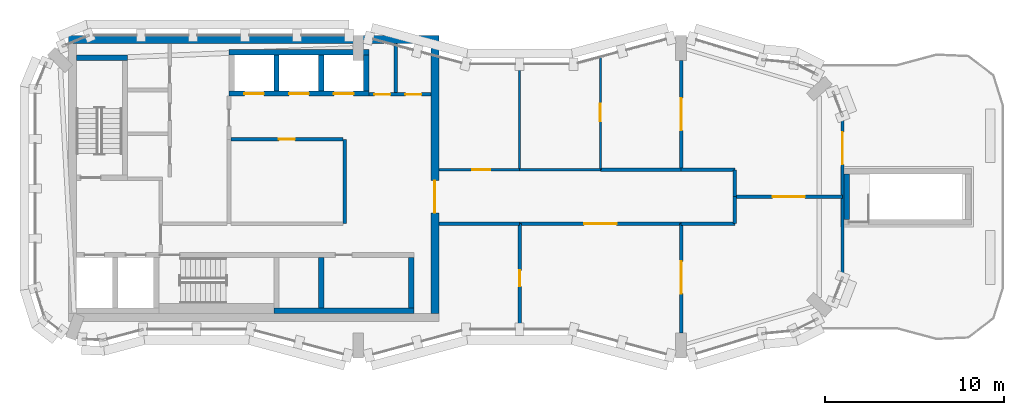
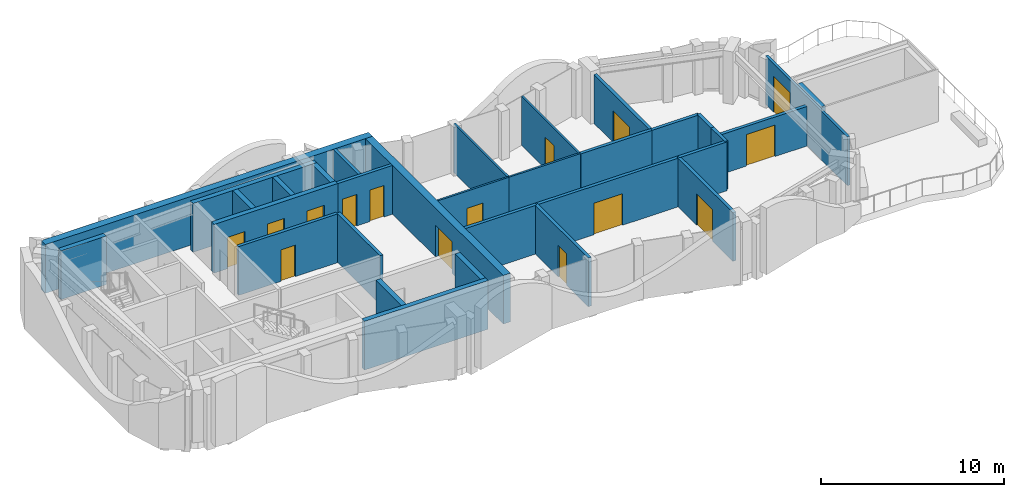
# One storey, part 4 of 9: 32 walls, 15 doors, 15 openings.
"""IFC4 building model written with IfcOpenShell, lengths in metres."""

from ifc_helpers import new_model, si_unit, direction, frame, frame_2d, origin, place, context, subcontext, project, spatial, rectangle, extrude, material, layer, layer_set, type_object, element, fill, save


model = new_model("IFC4")

# Units and contexts
model_context = context("Model", 3, precision=1e-05, world=origin(), true_north=direction((0.0, 1.0)))
body_context = subcontext(model_context, "Body", "Model", "MODEL_VIEW")
ifc_project = project(units=[si_unit("LENGTHUNIT", "METRE"), si_unit("AREAUNIT", "SQUARE_METRE"), si_unit("VOLUMEUNIT", "CUBIC_METRE"), si_unit("PLANEANGLEUNIT", "RADIAN"), si_unit("MASSUNIT", "GRAM", prefix="KILO")], contexts=[model_context])

# Site, building, storey
site_placement = place(None, origin())
site = spatial("IfcSite", under=ifc_project, at=site_placement, CompositionType="ELEMENT")
building_placement = place(site_placement, origin())
building = spatial("IfcBuilding", under=site, at=building_placement, Name="Plateau Cross Towers", CompositionType="ELEMENT")
storey_placement = place(building_placement, frame((0.0, 0.0, 287.89990234375)))
storey = spatial("IfcBuildingStorey", under=building, at=storey_placement, Name="L76 Crown 1", CompositionType="ELEMENT", Elevation=287.89990234375)

# Wall
ifc_material_1 = material(Name="Concrete block, plastered both sides", Category="concrete")
ifc_layer_1 = layer(ifc_material_1, 0.199951171875)
ifc_layer_set_1 = layer_set([ifc_layer_1], Name="Concrete block, plastered both sides")
wall_type_1 = type_object("IfcWallType", Name="Core partition 200", PredefinedType="PARTITIONING", material=ifc_layer_set_1)
wall_1_placement = place(storey_placement, frame((17.25, 7.5, 0.0), z_axis=(0.0, 0.0, 1.0), x_axis=(0.0, 1.0, 0.0)))
element("IfcWall", 1, at=wall_1_placement, inside=storey, type_object=wall_type_1, Name="Core partition", PredefinedType="PARTITIONING", context=body_context, shape_type="SweptSolid", body=[
    extrude(rectangle(XDim=4.699951171875, YDim=0.199951171875, at=frame_2d((2.35009765625, 0.0))), origin(), (0.0, 0.0, 1.0), 3.25),
])

# Wall, opening, door
wall_2_placement = place(storey_placement, frame((10.89990234375, 12.199951171875, 0.0), z_axis=(0.0, 0.0, 1.0), x_axis=(1.0, 0.0, 0.0)))
wall_2 = element("IfcWall", 2, at=wall_2_placement, inside=storey, type_object=wall_type_1, Name="Core partition", PredefinedType="PARTITIONING", context=body_context, shape_type="SweptSolid", body=[
    extrude(rectangle(XDim=6.25, YDim=0.199951171875, at=frame_2d((3.125, 0.0))), origin(), (0.0, 0.0, 1.0), 3.25),
])
opening_1_placement = place(wall_2_placement, frame((2.675048828125, 0.0, 0.0)))
opening_1 = element("IfcOpeningElement", 3, at=opening_1_placement, cuts=wall_2, Name="Opening RD1", PredefinedType="OPENING", context=body_context, shape_type="SweptSolid", body=[
    extrude(rectangle(XDim=0.89990234375, YDim=2.10009765625, at=frame_2d((0.449951171875, 1.050048828125))), frame((0.0, 0.10986328125, 0.0), z_axis=(0.0, -1.0, 0.0), x_axis=(1.0, 0.0, 0.0)), (0.0, 0.0, 1.0), 0.219970703125),
])
ifc_material_2 = material(Name="Timber, fire-resisting leaf", Category="wood")
door_type_1 = type_object("IfcDoorType", Name="Core service door 900", OperationType="NOTDEFINED", PredefinedType="DOOR", material=ifc_material_2)
door_1_placement = place(opening_1_placement, origin())
door_1 = element("IfcDoor", 4, at=door_1_placement, inside=storey, type_object=door_type_1, Name="Core service door RD1", OperationType="SINGLE_SWING_LEFT", OverallHeight=2.10009765625, OverallWidth=0.89990234375, PredefinedType="DOOR", context=body_context, shape_type="SweptSolid", body=[
    extrude(rectangle(XDim=0.89990234375, YDim=2.10009765625, at=frame_2d((0.449951171875, 1.050048828125))), frame((0.0, 0.02490234375, 0.0), z_axis=(0.0, -1.0, 0.0), x_axis=(1.0, 0.0, 0.0)), (0.0, 0.0, 1.0), 0.050048828125),
])
fill(opening_1, door_1)

# Wall, openings, doors
wall_3_placement = place(storey_placement, frame((18.60009765625, 14.699951171875, 0.0), z_axis=(0.0, 0.0, 1.0), x_axis=(1.0, 0.0, 0.0)))
wall_3 = element("IfcWall", 5, at=wall_3_placement, inside=storey, type_object=wall_type_1, Name="Core partition", PredefinedType="PARTITIONING", context=body_context, shape_type="SweptSolid", body=[
    extrude(rectangle(XDim=3.449951171875, YDim=0.199951171875, at=frame_2d((1.72509765625, 0.0))), origin(), (0.0, 0.0, 1.0), 3.25),
])
opening_2_placement = place(wall_3_placement, frame((0.300048828125, 0.0, 0.0)))
opening_2 = element("IfcOpeningElement", 6, at=opening_2_placement, cuts=wall_3, Name="Opening RD2", PredefinedType="OPENING", context=body_context, shape_type="SweptSolid", body=[
    extrude(rectangle(XDim=0.89990234375, YDim=2.10009765625, at=frame_2d((0.449951171875, 1.050048828125))), frame((0.0, 0.10986328125, 0.0), z_axis=(0.0, -1.0, 0.0), x_axis=(1.0, 0.0, 0.0)), (0.0, 0.0, 1.0), 0.219970703125),
])
opening_3_placement = place(wall_3_placement, frame((2.02490234375, 0.0, 0.0)))
opening_3 = element("IfcOpeningElement", 7, at=opening_3_placement, cuts=wall_3, Name="Opening RD2", PredefinedType="OPENING", context=body_context, shape_type="SweptSolid", body=[
    extrude(rectangle(XDim=0.89990234375, YDim=2.10009765625, at=frame_2d((0.449951171875, 1.050048828125))), frame((0.0, 0.10986328125, 0.0), z_axis=(0.0, -1.0, 0.0), x_axis=(1.0, 0.0, 0.0)), (0.0, 0.0, 1.0), 0.219970703125),
])
ifc_material_3 = material(Name="Steel, fire-resisting leaf", Category="steel")
door_type_2 = type_object("IfcDoorType", Name="Core riser door 900", OperationType="NOTDEFINED", PredefinedType="DOOR", material=ifc_material_3)
door_2_placement = place(opening_2_placement, origin())
door_2 = element("IfcDoor", 8, at=door_2_placement, inside=storey, type_object=door_type_2, Name="Core riser door RD2", OperationType="SINGLE_SWING_LEFT", OverallHeight=2.10009765625, OverallWidth=0.89990234375, PredefinedType="DOOR", context=body_context, shape_type="SweptSolid", body=[
    extrude(rectangle(XDim=0.89990234375, YDim=2.10009765625, at=frame_2d((0.449951171875, 1.050048828125))), frame((0.0, 0.02490234375, 0.0), z_axis=(0.0, -1.0, 0.0), x_axis=(1.0, 0.0, 0.0)), (0.0, 0.0, 1.0), 0.050048828125),
])
fill(opening_2, door_2)
door_3_placement = place(opening_3_placement, origin())
door_3 = element("IfcDoor", 9, at=door_3_placement, inside=storey, type_object=door_type_2, Name="Core riser door RD2", OperationType="SINGLE_SWING_LEFT", OverallHeight=2.10009765625, OverallWidth=0.89990234375, PredefinedType="DOOR", context=body_context, shape_type="SweptSolid", body=[
    extrude(rectangle(XDim=0.89990234375, YDim=2.10009765625, at=frame_2d((0.449951171875, 1.050048828125))), frame((0.0, 0.02490234375, 0.0), z_axis=(0.0, -1.0, 0.0), x_axis=(1.0, 0.0, 0.0)), (0.0, 0.0, 1.0), 0.050048828125),
])
fill(opening_3, door_3)

# Walls
wall_4_placement = place(storey_placement, frame((20.10009765625, 14.800048828125, 0.0), z_axis=(0.0, 0.0, 1.0), x_axis=(0.0, 1.0, 0.0)))
element("IfcWall", 10, at=wall_4_placement, inside=storey, type_object=wall_type_1, Name="Core partition", PredefinedType="PARTITIONING", context=body_context, shape_type="SweptSolid", body=[
    extrude(rectangle(XDim=2.75, YDim=0.199951171875, at=frame_2d((1.375, 0.0))), origin(), (0.0, 0.0, 1.0), 3.25),
])
ifc_material_4 = material(Name="Concrete C60/75", Category="concrete")
ifc_layer_2 = layer(ifc_material_4, 0.300048828125)
ifc_layer_set_2 = layer_set([ifc_layer_2], Name="Concrete C60/75")
wall_type_2 = type_object("IfcWallType", Name="Core shaft wall 300", PredefinedType="SHEAR", material=ifc_layer_set_2)
wall_5_placement = place(storey_placement, frame((13.300048828125, 2.64990234375, 0.0), z_axis=(0.0, 0.0, 1.0), x_axis=(1.0, 0.0, 0.0)))
element("IfcWall", 11, at=wall_5_placement, inside=storey, type_object=wall_type_2, Name="A-sb-back3@L76 Crown 1", PredefinedType="SHEAR", context=body_context, shape_type="SweptSolid", body=[
    extrude(rectangle(XDim=7.800048828125, YDim=0.300048828125, at=frame_2d((3.89990234375, 0.0))), origin(), (0.0, 0.0, 1.0), 3.25),
])
wall_6_placement = place(storey_placement, frame((20.949951171875, 2.800048828125, 0.0), z_axis=(0.0, 0.0, 1.0), x_axis=(0.0, 1.0, 0.0)))
element("IfcWall", 12, at=wall_6_placement, inside=storey, type_object=wall_type_2, Name="A-sb-v6@L76 Crown 1", PredefinedType="SHEAR", context=body_context, shape_type="SweptSolid", body=[
    extrude(rectangle(XDim=2.800048828125, YDim=0.300048828125, at=frame_2d((1.39990234375, 0.0))), origin(), (0.0, 0.0, 1.0), 3.25),
])
wall_7_placement = place(storey_placement, frame((2.300048828125, 16.75, 0.0), z_axis=(0.0, 0.0, 1.0), x_axis=(1.0, 0.0, 0.0)))
element("IfcWall", 13, at=wall_7_placement, inside=storey, type_object=wall_type_2, Name="A-st1-N@L76 Crown 1", PredefinedType="SHEAR", context=body_context, shape_type="SweptSolid", body=[
    extrude(rectangle(XDim=2.849853515625, YDim=0.300048828125, at=frame_2d((1.4248046875, 0.0))), origin(), (0.0, 0.0, 1.0), 3.25),
])
wall_8_placement = place(storey_placement, frame((10.800048828125, 17.050048828125, 0.0), z_axis=(0.0, 0.0, 1.0), x_axis=(1.0, 0.0, 0.0)))
element("IfcWall", 14, at=wall_8_placement, inside=storey, type_object=wall_type_2, Name="A-nb-back@L76 Crown 1", PredefinedType="SHEAR", context=body_context, shape_type="SweptSolid", body=[
    extrude(rectangle(XDim=7.800048828125, YDim=0.300048828125, at=frame_2d((3.89990234375, 0.0))), origin(), (0.0, 0.0, 1.0), 3.25),
])

# Wall, openings, doors
wall_9_placement = place(storey_placement, frame((10.800048828125, 14.75, 0.0), z_axis=(0.0, 0.0, 1.0), x_axis=(1.0, 0.0, 0.0)))
wall_9 = element("IfcWall", 15, at=wall_9_placement, inside=storey, type_object=wall_type_2, Name="A-nb-front@L76 Crown 1", PredefinedType="SHEAR", context=body_context, shape_type="SweptSolid", body=[
    extrude(rectangle(XDim=7.800048828125, YDim=0.300048828125, at=frame_2d((3.89990234375, 0.0))), origin(), (0.0, 0.0, 1.0), 3.25),
])
opening_4_placement = place(wall_9_placement, frame((0.85009765625, 0.0, 0.0)))
opening_4 = element("IfcOpeningElement", 16, at=opening_4_placement, cuts=wall_9, Name="Opening LD", PredefinedType="OPENING", context=body_context, shape_type="SweptSolid", body=[
    extrude(rectangle(XDim=1.10009765625, YDim=2.10009765625, at=frame_2d((0.550048828125, 1.050048828125))), frame((0.0, 0.159912109375, 0.0), z_axis=(0.0, -1.0, 0.0), x_axis=(1.0, 0.0, 0.0)), (0.0, 0.0, 1.0), 0.320068359375),
])
opening_5_placement = place(wall_9_placement, frame((3.35009765625, 0.0, 0.0)))
opening_5 = element("IfcOpeningElement", 17, at=opening_5_placement, cuts=wall_9, Name="Opening LD", PredefinedType="OPENING", context=body_context, shape_type="SweptSolid", body=[
    extrude(rectangle(XDim=1.10009765625, YDim=2.10009765625, at=frame_2d((0.550048828125, 1.050048828125))), frame((0.0, 0.159912109375, 0.0), z_axis=(0.0, -1.0, 0.0), x_axis=(1.0, 0.0, 0.0)), (0.0, 0.0, 1.0), 0.320068359375),
])
opening_6_placement = place(wall_9_placement, frame((5.85009765625, 0.0, 0.0)))
opening_6 = element("IfcOpeningElement", 18, at=opening_6_placement, cuts=wall_9, Name="Opening LD", PredefinedType="OPENING", context=body_context, shape_type="SweptSolid", body=[
    extrude(rectangle(XDim=1.10009765625, YDim=2.10009765625, at=frame_2d((0.550048828125, 1.050048828125))), frame((0.0, 0.159912109375, 0.0), z_axis=(0.0, -1.0, 0.0), x_axis=(1.0, 0.0, 0.0)), (0.0, 0.0, 1.0), 0.320068359375),
])
ifc_material_5 = material(Name="Stainless steel, fire-resisting sliding leaves", Category="steel")
door_type_3 = type_object("IfcDoorType", Name="Lift landing door 1100", OperationType="NOTDEFINED", PredefinedType="DOOR", material=ifc_material_5)
door_4_placement = place(opening_4_placement, origin())
door_4 = element("IfcDoor", 19, at=door_4_placement, inside=storey, type_object=door_type_3, Name="Lift landing door LD", OperationType="DOUBLE_DOOR_SLIDING", OverallHeight=2.10009765625, OverallWidth=1.10009765625, PredefinedType="DOOR", context=body_context, shape_type="SweptSolid", body=[
    extrude(rectangle(XDim=1.10009765625, YDim=2.10009765625, at=frame_2d((0.550048828125, 1.050048828125))), frame((0.0, 0.02490234375, 0.0), z_axis=(0.0, -1.0, 0.0), x_axis=(1.0, 0.0, 0.0)), (0.0, 0.0, 1.0), 0.050048828125),
])
fill(opening_4, door_4)
door_5_placement = place(opening_5_placement, origin())
door_5 = element("IfcDoor", 20, at=door_5_placement, inside=storey, type_object=door_type_3, Name="Lift landing door LD", OperationType="DOUBLE_DOOR_SLIDING", OverallHeight=2.10009765625, OverallWidth=1.10009765625, PredefinedType="DOOR", context=body_context, shape_type="SweptSolid", body=[
    extrude(rectangle(XDim=1.10009765625, YDim=2.10009765625, at=frame_2d((0.550048828125, 1.050048828125))), frame((0.0, 0.02490234375, 0.0), z_axis=(0.0, -1.0, 0.0), x_axis=(1.0, 0.0, 0.0)), (0.0, 0.0, 1.0), 0.050048828125),
])
fill(opening_5, door_5)
door_6_placement = place(opening_6_placement, origin())
door_6 = element("IfcDoor", 21, at=door_6_placement, inside=storey, type_object=door_type_3, Name="Lift landing door LD", OperationType="DOUBLE_DOOR_SLIDING", OverallHeight=2.10009765625, OverallWidth=1.10009765625, PredefinedType="DOOR", context=body_context, shape_type="SweptSolid", body=[
    extrude(rectangle(XDim=1.10009765625, YDim=2.10009765625, at=frame_2d((0.550048828125, 1.050048828125))), frame((0.0, 0.02490234375, 0.0), z_axis=(0.0, -1.0, 0.0), x_axis=(1.0, 0.0, 0.0)), (0.0, 0.0, 1.0), 0.050048828125),
])
fill(opening_6, door_6)

# Walls
for number, where, z_axis, x_axis, name in (
    (22, (13.449951171875, 14.89990234375, 0.0), (0.0, 0.0, 1.0), (0.0, 1.0, 0.0), "A-nb-v2@L76 Crown 1"),
    (23, (15.949951171875, 14.89990234375, 0.0), (0.0, 0.0, 1.0), (0.0, 1.0, 0.0), "A-nb-v3@L76 Crown 1"),
    (24, (18.449951171875, 14.89990234375, 0.0), (0.0, 0.0, 1.0), (0.0, 1.0, 0.0), "A-nb-v4@L76 Crown 1"),
):
    element("IfcWall", number, at=place(storey_placement, frame(where, z_axis=z_axis, x_axis=x_axis)), inside=storey, type_object=wall_type_2, Name=name, PredefinedType="SHEAR", context=body_context, shape_type="SweptSolid", body=[
        extrude(rectangle(XDim=2.0, YDim=0.300048828125, at=frame_2d((1.0, 0.0))), origin(), (0.0, 0.0, 1.0), 3.25),
    ])
wall_10_placement = place(storey_placement, frame((15.949951171875, 2.800048828125, 0.0), z_axis=(0.0, 0.0, 1.0), x_axis=(0.0, 1.0, 0.0)))
element("IfcWall", 25, at=wall_10_placement, inside=storey, type_object=wall_type_2, Name="A-sb-v4@L77 Crown 1", PredefinedType="SHEAR", context=body_context, shape_type="SweptSolid", body=[
    extrude(rectangle(XDim=2.800048828125, YDim=0.300048828125, at=frame_2d((1.39990234375, 0.0))), origin(), (0.0, 0.0, 1.0), 3.25),
])
ifc_layer_3 = layer(ifc_material_4, 0.449951171875)
ifc_layer_set_3 = layer_set([ifc_layer_3], Name="Concrete C60/75")
wall_type_3 = type_object("IfcWallType", Name="Core shell wall 450", PredefinedType="SHEAR", material=ifc_layer_set_3)
wall_11_placement = place(storey_placement, frame((1.85009765625, 17.77490234375, 0.0), z_axis=(0.0, 0.0, 1.0), x_axis=(1.0, 0.0, 0.0)))
element("IfcWall", 26, at=wall_11_placement, inside=storey, type_object=wall_type_3, Name="A-core-N@L76 Crown 1", PredefinedType="SHEAR", context=body_context, shape_type="SweptSolid", body=[
    extrude(rectangle(XDim=20.64990234375, YDim=0.449951171875, at=frame_2d((10.324951171875, 0.0))), origin(), (0.0, 0.0, 1.0), 3.25),
])

# Wall, opening, door
wall_12_placement = place(storey_placement, frame((22.27490234375, 2.5, 0.0), z_axis=(0.0, 0.0, 1.0), x_axis=(0.0, 1.0, 0.0)))
wall_12 = element("IfcWall", 27, at=wall_12_placement, inside=storey, type_object=wall_type_3, Name="A-core-E@L76 Crown 1", PredefinedType="SHEAR", context=body_context, shape_type="SweptSolid", body=[
    extrude(rectangle(XDim=15.050048828125, YDim=0.449951171875, at=frame_2d((7.52490234375, 0.0))), origin(), (0.0, 0.0, 1.0), 3.25),
])
opening_7_placement = place(wall_12_placement, frame((5.60009765625, 0.0, 0.0)))
opening_7 = element("IfcOpeningElement", 28, at=opening_7_placement, cuts=wall_12, Name="Opening CD", PredefinedType="OPENING", context=body_context, shape_type="SweptSolid", body=[
    extrude(rectangle(XDim=1.800048828125, YDim=2.10009765625, at=frame_2d((0.89990234375, 1.050048828125))), frame((0.0, 0.23486328125, 0.0), z_axis=(0.0, -1.0, 0.0), x_axis=(1.0, 0.0, 0.0)), (0.0, 0.0, 1.0), 0.469970703125),
])
ifc_material_6 = material(Name="Steel, fire-resisting leaves", Category="steel")
door_type_4 = type_object("IfcDoorType", Name="Corridor door pair 1800", OperationType="NOTDEFINED", PredefinedType="DOOR", material=ifc_material_6)
door_7_placement = place(opening_7_placement, origin())
door_7 = element("IfcDoor", 29, at=door_7_placement, inside=storey, type_object=door_type_4, Name="Corridor door pair CD", OperationType="DOUBLE_DOOR_SINGLE_SWING", OverallHeight=2.10009765625, OverallWidth=1.800048828125, PredefinedType="DOOR", context=body_context, shape_type="SweptSolid", body=[
    extrude(rectangle(XDim=1.800048828125, YDim=2.10009765625, at=frame_2d((0.89990234375, 1.050048828125))), frame((0.0, 0.02490234375, 0.0), z_axis=(0.0, -1.0, 0.0), x_axis=(1.0, 0.0, 0.0)), (0.0, 0.0, 1.0), 0.050048828125),
])
fill(opening_7, door_7)

ifc_material_7 = material(Name="Aluminium framed glazing", Category="aluminium")
ifc_layer_4 = layer(ifc_material_7, 0.159912109375)
ifc_layer_set_4 = layer_set([ifc_layer_4], Name="Aluminium framed glazing")
wall_type_4 = type_object("IfcWallType", Name="Entrance screen wall 160", PredefinedType="STANDARD", material=ifc_layer_set_4)
wall_13_placement = place(storey_placement, frame((45.0, 13.47705078125, 0.0), z_axis=(0.0, 0.0, 1.0), x_axis=(0.0, -1.0, 0.0)))
wall_13 = element("IfcWall", 30, at=wall_13_placement, inside=storey, type_object=wall_type_4, Name="Deck A1 screen wall", PredefinedType="STANDARD", context=body_context, shape_type="SweptSolid", body=[
    extrude(rectangle(XDim=8.9541015625, YDim=0.159912109375, at=frame_2d((4.47705078125, 0.0))), origin(), (0.0, 0.0, 1.0), 3.25),
])
opening_8_placement = place(wall_13_placement, frame((0.877197265625, 0.0, 0.0)))
opening_8 = element("IfcOpeningElement", 31, at=opening_8_placement, cuts=wall_13, Name="Opening XD1", PredefinedType="OPENING", context=body_context, shape_type="SweptSolid", body=[
    extrude(rectangle(XDim=1.800048828125, YDim=2.39990234375, at=frame_2d((0.89990234375, 1.199951171875))), frame((0.0, 0.08984375, 0.0), z_axis=(0.0, -1.0, 0.0), x_axis=(1.0, 0.0, 0.0)), (0.0, 0.0, 1.0), 0.179931640625),
])
door_type_5 = type_object("IfcDoorType", Name="Terrace door double leaf 1800x2400", OperationType="DOUBLE_DOOR_SINGLE_SWING", PredefinedType="DOOR", material=ifc_material_7)
door_8_placement = place(opening_8_placement, origin())
door_8 = element("IfcDoor", 32, at=door_8_placement, inside=storey, type_object=door_type_5, Name="Deck A1 door", OperationType="SINGLE_SWING_LEFT", OverallHeight=2.39990234375, OverallWidth=1.800048828125, PredefinedType="DOOR", context=body_context, shape_type="SweptSolid", body=[
    extrude(rectangle(XDim=1.800048828125, YDim=2.39990234375, at=frame_2d((0.89990234375, 1.199951171875))), frame((0.0, 0.02490234375, 0.0), z_axis=(0.0, -1.0, 0.0), x_axis=(1.0, 0.0, 0.0)), (0.0, 0.0, 1.0), 0.050048828125),
])
fill(opening_8, door_8)

ifc_material_8 = material(Name="Gypsum board on steel studs", Category="steel")
ifc_layer_5 = layer(ifc_material_8, 0.199951171875)
ifc_layer_set_5 = layer_set([ifc_layer_5], Name="Gypsum board on steel studs")
wall_type_5 = type_object("IfcWallType", Name="Podium partition 200", PredefinedType="PARTITIONING", material=ifc_layer_set_5)
wall_14_placement = place(storey_placement, frame((36.0, 7.5, 0.0), z_axis=(0.0, 0.0, 1.0), x_axis=(-1.0, 0.0, 0.0)))
wall_14 = element("IfcWall", 33, at=wall_14_placement, inside=storey, type_object=wall_type_5, Name="Partition wall", PredefinedType="PARTITIONING", context=body_context, shape_type="SweptSolid", body=[
    extrude(rectangle(XDim=9.0, YDim=0.199951171875, at=frame_2d((4.5, 0.0))), origin(), (0.0, 0.0, 1.0), 3.25),
])
opening_9_placement = place(wall_14_placement, frame((3.60009765625, 0.0, 0.0)))
opening_9 = element("IfcOpeningElement", 34, at=opening_9_placement, cuts=wall_14, Name="Opening 761-04", PredefinedType="OPENING", context=body_context, shape_type="SweptSolid", body=[
    extrude(rectangle(XDim=1.800048828125, YDim=2.10009765625, at=frame_2d((0.89990234375, 1.050048828125))), frame((0.0, 0.10986328125, 0.0), z_axis=(0.0, -1.0, 0.0), x_axis=(1.0, 0.0, 0.0)), (0.0, 0.0, 1.0), 0.219970703125),
])
ifc_material_9 = material(Name="Aluminium frame, toughened glass", Category="aluminium")
door_type_6 = type_object("IfcDoorType", Name="Podium door pair 1800", OperationType="NOTDEFINED", PredefinedType="DOOR", material=ifc_material_9)
door_9_placement = place(opening_9_placement, origin())
door_9 = element("IfcDoor", 35, at=door_9_placement, inside=storey, type_object=door_type_6, Name="Door 761-04", OperationType="DOUBLE_DOOR_SINGLE_SWING", OverallHeight=2.10009765625, OverallWidth=1.800048828125, PredefinedType="DOOR", context=body_context, shape_type="SweptSolid", body=[
    extrude(rectangle(XDim=1.800048828125, YDim=2.10009765625, at=frame_2d((0.89990234375, 1.050048828125))), frame((0.0, 0.02490234375, 0.0), z_axis=(0.0, -1.0, 0.0), x_axis=(1.0, 0.0, 0.0)), (0.0, 0.0, 1.0), 0.050048828125),
])
fill(opening_9, door_9)

wall_15_placement = place(storey_placement, frame((36.0, 16.60009765625, 0.0), z_axis=(0.0, 0.0, 1.0), x_axis=(0.0, -1.0, 0.0)))
wall_15 = element("IfcWall", 36, at=wall_15_placement, inside=storey, type_object=wall_type_5, Name="Partition wall", PredefinedType="PARTITIONING", context=body_context, shape_type="SweptSolid", body=[
    extrude(rectangle(XDim=6.10009765625, YDim=0.199951171875, at=frame_2d((3.050048828125, 0.0))), origin(), (0.0, 0.0, 1.0), 3.25),
])
opening_10_placement = place(wall_15_placement, frame((2.10009765625, 0.0, 0.0)))
opening_10 = element("IfcOpeningElement", 37, at=opening_10_placement, cuts=wall_15, Name="Opening 761-05", PredefinedType="OPENING", context=body_context, shape_type="SweptSolid", body=[
    extrude(rectangle(XDim=1.800048828125, YDim=2.10009765625, at=frame_2d((0.89990234375, 1.050048828125))), frame((0.0, 0.10986328125, 0.0), z_axis=(0.0, -1.0, 0.0), x_axis=(1.0, 0.0, 0.0)), (0.0, 0.0, 1.0), 0.219970703125),
])
door_10_placement = place(opening_10_placement, origin())
door_10 = element("IfcDoor", 38, at=door_10_placement, inside=storey, type_object=door_type_6, Name="Door 761-05", OperationType="DOUBLE_DOOR_SINGLE_SWING", OverallHeight=2.10009765625, OverallWidth=1.800048828125, PredefinedType="DOOR", context=body_context, shape_type="SweptSolid", body=[
    extrude(rectangle(XDim=1.800048828125, YDim=2.10009765625, at=frame_2d((0.89990234375, 1.050048828125))), frame((0.0, 0.02490234375, 0.0), z_axis=(0.0, -1.0, 0.0), x_axis=(1.0, 0.0, 0.0)), (0.0, 0.0, 1.0), 0.050048828125),
])
fill(opening_10, door_10)

wall_16_placement = place(storey_placement, frame((36.0, 7.5, 0.0), z_axis=(0.0, 0.0, 1.0), x_axis=(0.0, -1.0, 0.0)))
wall_16 = element("IfcWall", 39, at=wall_16_placement, inside=storey, type_object=wall_type_5, Name="Partition wall", PredefinedType="PARTITIONING", context=body_context, shape_type="SweptSolid", body=[
    extrude(rectangle(XDim=6.10009765625, YDim=0.199951171875, at=frame_2d((3.050048828125, 0.0))), origin(), (0.0, 0.0, 1.0), 3.25),
])
opening_11_placement = place(wall_16_placement, frame((2.10009765625, 0.0, 0.0)))
opening_11 = element("IfcOpeningElement", 40, at=opening_11_placement, cuts=wall_16, Name="Opening 761-06", PredefinedType="OPENING", context=body_context, shape_type="SweptSolid", body=[
    extrude(rectangle(XDim=1.800048828125, YDim=2.10009765625, at=frame_2d((0.89990234375, 1.050048828125))), frame((0.0, 0.10986328125, 0.0), z_axis=(0.0, -1.0, 0.0), x_axis=(1.0, 0.0, 0.0)), (0.0, 0.0, 1.0), 0.219970703125),
])
door_11_placement = place(opening_11_placement, origin())
door_11 = element("IfcDoor", 41, at=door_11_placement, inside=storey, type_object=door_type_6, Name="Door 761-06", OperationType="DOUBLE_DOOR_SINGLE_SWING", OverallHeight=2.10009765625, OverallWidth=1.800048828125, PredefinedType="DOOR", context=body_context, shape_type="SweptSolid", body=[
    extrude(rectangle(XDim=1.800048828125, YDim=2.10009765625, at=frame_2d((0.89990234375, 1.050048828125))), frame((0.0, 0.02490234375, 0.0), z_axis=(0.0, -1.0, 0.0), x_axis=(1.0, 0.0, 0.0)), (0.0, 0.0, 1.0), 0.050048828125),
])
fill(opening_11, door_11)

wall_17_placement = place(storey_placement, frame((39.0, 9.0, 0.0), z_axis=(0.0, 0.0, 1.0), x_axis=(1.0, 0.0, 0.0)))
wall_17 = element("IfcWall", 42, at=wall_17_placement, inside=storey, type_object=wall_type_5, Name="Partition wall", PredefinedType="PARTITIONING", context=body_context, shape_type="SweptSolid", body=[
    extrude(rectangle(XDim=6.0, YDim=0.199951171875, at=frame_2d((3.0, 0.0))), origin(), (0.0, 0.0, 1.0), 2.64208984375),
])
opening_12_placement = place(wall_17_placement, frame((2.10009765625, 0.0, 0.0)))
opening_12 = element("IfcOpeningElement", 43, at=opening_12_placement, cuts=wall_17, Name="Opening 761-07", PredefinedType="OPENING", context=body_context, shape_type="SweptSolid", body=[
    extrude(rectangle(XDim=1.800048828125, YDim=2.10009765625, at=frame_2d((0.89990234375, 1.050048828125))), frame((0.0, 0.10986328125, 0.0), z_axis=(0.0, -1.0, 0.0), x_axis=(1.0, 0.0, 0.0)), (0.0, 0.0, 1.0), 0.219970703125),
])
door_12_placement = place(opening_12_placement, origin())
door_12 = element("IfcDoor", 44, at=door_12_placement, inside=storey, type_object=door_type_6, Name="Door 761-07", OperationType="DOUBLE_DOOR_SINGLE_SWING", OverallHeight=2.10009765625, OverallWidth=1.800048828125, PredefinedType="DOOR", context=body_context, shape_type="SweptSolid", body=[
    extrude(rectangle(XDim=1.800048828125, YDim=2.10009765625, at=frame_2d((0.89990234375, 1.050048828125))), frame((0.0, 0.02490234375, 0.0), z_axis=(0.0, -1.0, 0.0), x_axis=(1.0, 0.0, 0.0)), (0.0, 0.0, 1.0), 0.050048828125),
])
fill(opening_12, door_12)

wall_18_placement = place(storey_placement, frame((27.0, 7.5, 0.0), z_axis=(0.0, 0.0, 1.0), x_axis=(0.0, -1.0, 0.0)))
wall_18 = element("IfcWall", 45, at=wall_18_placement, inside=storey, type_object=wall_type_5, Name="Partition wall", PredefinedType="PARTITIONING", context=body_context, shape_type="SweptSolid", body=[
    extrude(rectangle(XDim=5.89306640625, YDim=0.199951171875, at=frame_2d((2.946533203125, 0.0))), origin(), (0.0, 0.0, 1.0), 3.25),
])
opening_13_placement = place(wall_18_placement, frame((2.60009765625, 0.0, 0.0)))
opening_13 = element("IfcOpeningElement", 46, at=opening_13_placement, cuts=wall_18, Name="Opening 761-01", PredefinedType="OPENING", context=body_context, shape_type="SweptSolid", body=[
    extrude(rectangle(XDim=0.89990234375, YDim=2.10009765625, at=frame_2d((0.449951171875, 1.050048828125))), frame((0.0, 0.10986328125, 0.0), z_axis=(0.0, -1.0, 0.0), x_axis=(1.0, 0.0, 0.0)), (0.0, 0.0, 1.0), 0.219970703125),
])
ifc_material_10 = material(Name="Timber leaf", Category="wood")
door_type_7 = type_object("IfcDoorType", Name="Podium room door 900", OperationType="NOTDEFINED", PredefinedType="DOOR", material=ifc_material_10)
door_13_placement = place(opening_13_placement, origin())
door_13 = element("IfcDoor", 47, at=door_13_placement, inside=storey, type_object=door_type_7, Name="Door 761-01", OperationType="SINGLE_SWING_LEFT", OverallHeight=2.10009765625, OverallWidth=0.89990234375, PredefinedType="DOOR", context=body_context, shape_type="SweptSolid", body=[
    extrude(rectangle(XDim=0.89990234375, YDim=2.10009765625, at=frame_2d((0.449951171875, 1.050048828125))), frame((0.0, 0.02490234375, 0.0), z_axis=(0.0, -1.0, 0.0), x_axis=(1.0, 0.0, 0.0)), (0.0, 0.0, 1.0), 0.050048828125),
])
fill(opening_13, door_13)

# Walls
wall_19_placement = place(storey_placement, frame((39.0, 9.0, 0.0), z_axis=(0.0, 0.0, 1.0), x_axis=(0.0, -1.0, 0.0)))
element("IfcWall", 48, at=wall_19_placement, inside=storey, type_object=wall_type_5, Name="Partition wall", PredefinedType="PARTITIONING", context=body_context, shape_type="SweptSolid", body=[
    extrude(rectangle(XDim=1.5, YDim=0.199951171875, at=frame_2d((0.75, 0.0))), origin(), (0.0, 0.0, 1.0), 3.25),
])
wall_20_placement = place(storey_placement, frame((39.0, 7.5, 0.0), z_axis=(0.0, 0.0, 1.0), x_axis=(-1.0, 0.0, 0.0)))
element("IfcWall", 49, at=wall_20_placement, inside=storey, type_object=wall_type_5, Name="Partition wall", PredefinedType="PARTITIONING", context=body_context, shape_type="SweptSolid", body=[
    extrude(rectangle(XDim=3.0, YDim=0.199951171875, at=frame_2d((1.5, 0.0))), origin(), (0.0, 0.0, 1.0), 3.25),
])
for number, where, z_axis, x_axis, name in (
    (50, (31.5, 10.5, 0.0), (0.0, 0.0, 1.0), (1.0, 0.0, 0.0), "Partition wall"),
    (51, (27.0, 7.5, 0.0), (0.0, 0.0, 1.0), (-1.0, 0.0, 0.0), "Partition wall"),
):
    element("IfcWall", number, at=place(storey_placement, frame(where, z_axis=z_axis, x_axis=x_axis)), inside=storey, type_object=wall_type_5, Name=name, PredefinedType="PARTITIONING", context=body_context, shape_type="SweptSolid", body=[
        extrude(rectangle(XDim=4.5, YDim=0.199951171875, at=frame_2d((2.25, 0.0))), origin(), (0.0, 0.0, 1.0), 3.25),
    ])
wall_21_placement = place(storey_placement, frame((36.0, 10.5, 0.0), z_axis=(0.0, 0.0, 1.0), x_axis=(1.0, 0.0, 0.0)))
element("IfcWall", 52, at=wall_21_placement, inside=storey, type_object=wall_type_5, Name="Partition wall", PredefinedType="PARTITIONING", context=body_context, shape_type="SweptSolid", body=[
    extrude(rectangle(XDim=3.0, YDim=0.199951171875, at=frame_2d((1.5, 0.0))), origin(), (0.0, 0.0, 1.0), 3.25),
])
wall_22_placement = place(storey_placement, frame((39.0, 10.5, 0.0), z_axis=(0.0, 0.0, 1.0), x_axis=(0.0, -1.0, 0.0)))
element("IfcWall", 53, at=wall_22_placement, inside=storey, type_object=wall_type_5, Name="Partition wall", PredefinedType="PARTITIONING", context=body_context, shape_type="SweptSolid", body=[
    extrude(rectangle(XDim=1.5, YDim=0.199951171875, at=frame_2d((0.75, 0.0))), origin(), (0.0, 0.0, 1.0), 3.25),
])

# Wall, opening, door
ifc_material_11 = material(Name="Moisture-resistant board on steel studs, tiled one side", Category="steel")
ifc_layer_6 = layer(ifc_material_11, 0.1201171875)
ifc_layer_set_6 = layer_set([ifc_layer_6], Name="Moisture-resistant board on steel studs, tiled one side")
wall_type_6 = type_object("IfcWallType", Name="Sanitary partition 120", PredefinedType="PARTITIONING", material=ifc_layer_set_6)
wall_23_placement = place(storey_placement, frame((31.5, 16.794921875, 0.0), z_axis=(0.0, 0.0, 1.0), x_axis=(0.0, -1.0, 0.0)))
wall_23 = element("IfcWall", 54, at=wall_23_placement, inside=storey, type_object=wall_type_6, Name="Partition wall", PredefinedType="PARTITIONING", context=body_context, shape_type="SweptSolid", body=[
    extrude(rectangle(XDim=6.294921875, YDim=0.1201171875, at=frame_2d((3.1474609375, 0.0))), origin(), (0.0, 0.0, 1.0), 3.25),
])
opening_14_placement = place(wall_23_placement, frame((2.60009765625, 0.0, 0.0)))
opening_14 = element("IfcOpeningElement", 55, at=opening_14_placement, cuts=wall_23, Name="Opening 761-03", PredefinedType="OPENING", context=body_context, shape_type="SweptSolid", body=[
    extrude(rectangle(XDim=1.0, YDim=2.10009765625, at=frame_2d((0.5, 1.050048828125))), frame((0.0, 0.070068359375, 0.0), z_axis=(0.0, -1.0, 0.0), x_axis=(1.0, 0.0, 0.0)), (0.0, 0.0, 1.0), 0.14013671875),
])
door_type_8 = type_object("IfcDoorType", Name="Podium clinic door 1000", OperationType="NOTDEFINED", PredefinedType="DOOR", material=ifc_material_10)
door_14_placement = place(opening_14_placement, origin())
door_14 = element("IfcDoor", 56, at=door_14_placement, inside=storey, type_object=door_type_8, Name="Door 761-03", OperationType="SINGLE_SWING_LEFT", OverallHeight=2.10009765625, OverallWidth=1.0, PredefinedType="DOOR", context=body_context, shape_type="SweptSolid", body=[
    extrude(rectangle(XDim=1.0, YDim=2.10009765625, at=frame_2d((0.5, 1.050048828125))), frame((0.0, 0.02490234375, 0.0), z_axis=(0.0, -1.0, 0.0), x_axis=(1.0, 0.0, 0.0)), (0.0, 0.0, 1.0), 0.050048828125),
])
fill(opening_14, door_14)

# Wall
wall_24_placement = place(storey_placement, frame((27.0, 16.39306640625, 0.0), z_axis=(0.0, 0.0, 1.0), x_axis=(0.0, -1.0, 0.0)))
element("IfcWall", 57, at=wall_24_placement, inside=storey, type_object=wall_type_6, Name="Partition wall", PredefinedType="PARTITIONING", context=body_context, shape_type="SweptSolid", body=[
    extrude(rectangle(XDim=5.89306640625, YDim=0.1201171875, at=frame_2d((2.946533203125, 0.0))), origin(), (0.0, 0.0, 1.0), 3.25),
])

# Wall, opening, door
wall_25_placement = place(storey_placement, frame((22.5, 10.5, 0.0), z_axis=(0.0, 0.0, 1.0), x_axis=(1.0, 0.0, 0.0)))
wall_25 = element("IfcWall", 58, at=wall_25_placement, inside=storey, type_object=wall_type_6, Name="Partition wall", PredefinedType="PARTITIONING", context=body_context, shape_type="SweptSolid", body=[
    extrude(rectangle(XDim=4.5, YDim=0.1201171875, at=frame_2d((2.25, 0.0))), origin(), (0.0, 0.0, 1.0), 3.25),
])
opening_15_placement = place(wall_25_placement, frame((1.85009765625, 0.0, 0.0)))
opening_15 = element("IfcOpeningElement", 59, at=opening_15_placement, cuts=wall_25, Name="Opening 761-02", PredefinedType="OPENING", context=body_context, shape_type="SweptSolid", body=[
    extrude(rectangle(XDim=1.0, YDim=2.10009765625, at=frame_2d((0.5, 1.050048828125))), frame((0.0, 0.070068359375, 0.0), z_axis=(0.0, -1.0, 0.0), x_axis=(1.0, 0.0, 0.0)), (0.0, 0.0, 1.0), 0.14013671875),
])
door_15_placement = place(opening_15_placement, origin())
door_15 = element("IfcDoor", 60, at=door_15_placement, inside=storey, type_object=door_type_8, Name="Door 761-02", OperationType="SINGLE_SWING_LEFT", OverallHeight=2.10009765625, OverallWidth=1.0, PredefinedType="DOOR", context=body_context, shape_type="SweptSolid", body=[
    extrude(rectangle(XDim=1.0, YDim=2.10009765625, at=frame_2d((0.5, 1.050048828125))), frame((0.0, 0.02490234375, 0.0), z_axis=(0.0, -1.0, 0.0), x_axis=(1.0, 0.0, 0.0)), (0.0, 0.0, 1.0), 0.050048828125),
])
fill(opening_15, door_15)

# Walls
wall_26_placement = place(storey_placement, frame((27.0, 10.5, 0.0), z_axis=(0.0, 0.0, 1.0), x_axis=(1.0, 0.0, 0.0)))
element("IfcWall", 61, at=wall_26_placement, inside=storey, type_object=wall_type_6, Name="Partition wall", PredefinedType="PARTITIONING", context=body_context, shape_type="SweptSolid", body=[
    extrude(rectangle(XDim=4.5, YDim=0.1201171875, at=frame_2d((2.25, 0.0))), origin(), (0.0, 0.0, 1.0), 3.25),
])
ifc_layer_7 = layer(ifc_material_4, 0.300048828125)
ifc_layer_set_7 = layer_set([ifc_layer_7], Name="Concrete C60/75")
wall_type_7 = type_object("IfcWallType", Name="Stair tower wall 300", PredefinedType="SHEAR", material=ifc_layer_set_7)
wall_27_placement = place(storey_placement, frame((45.22998046875, 7.72509765625, 0.0), z_axis=(0.0, 0.0, 1.0), x_axis=(0.0, 1.0, 0.0)))
element("IfcWall", 62, at=wall_27_placement, inside=storey, type_object=wall_type_7, Name="A-end-E-W@L76 Crown 1", PredefinedType="SHEAR", context=body_context, shape_type="SweptSolid", body=[
    extrude(rectangle(XDim=2.5498046875, YDim=0.300048828125, at=frame_2d((1.27490234375, 0.0))), origin(), (0.0, 0.0, 1.0), 3.25),
])

save(model, "model.ifc")
